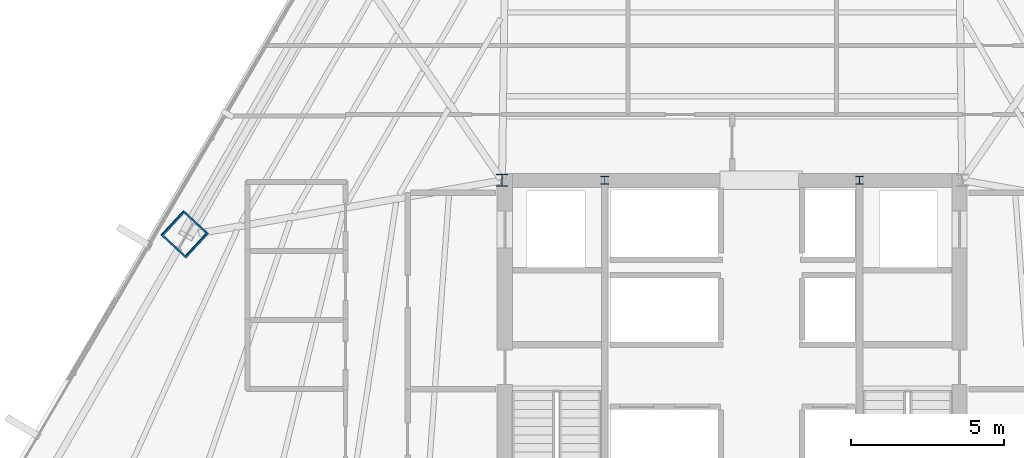
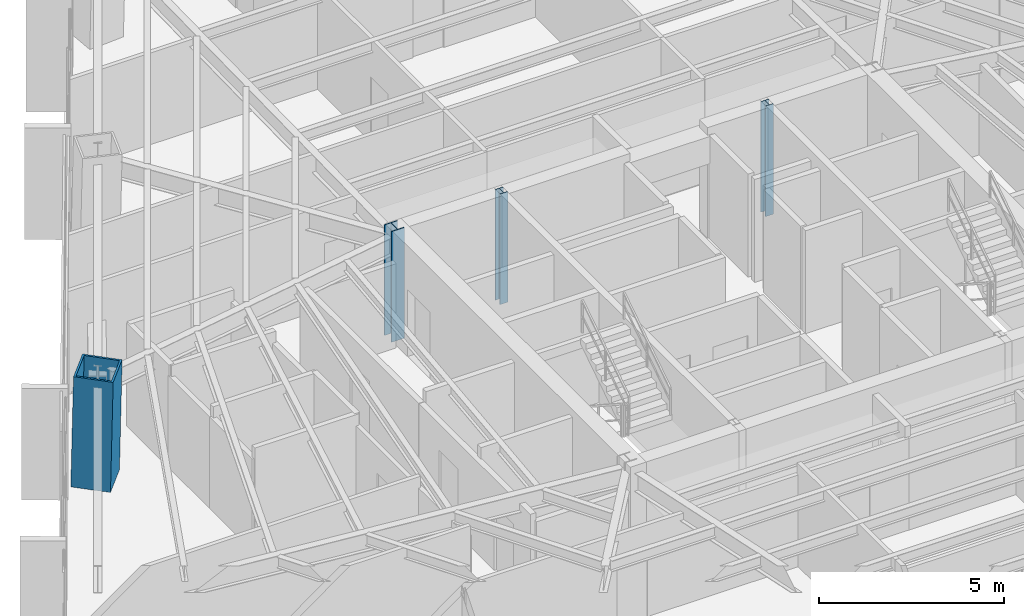
# One storey, part 2 of 35: 4 columns.
"""IFC4 building model written with IfcOpenShell, lengths in metres."""

from ifc_helpers import new_model, si_unit, direction, frame, origin, origin_2d, place, context, subcontext, project, spatial, hollow_rectangle, i_section, extrude, source, transform, mapped, material, material_profile, profile_set, type_object, type_shapes, element, save


model = new_model("IFC4")

# Units and contexts
model_context = context("Model", 3, precision=1e-05, world=origin(), true_north=direction((0.0, 1.0)))
body_context = subcontext(model_context, "Body", "Model", "MODEL_VIEW")
ifc_project = project(units=[si_unit("LENGTHUNIT", "METRE"), si_unit("AREAUNIT", "SQUARE_METRE"), si_unit("VOLUMEUNIT", "CUBIC_METRE"), si_unit("PLANEANGLEUNIT", "RADIAN"), si_unit("MASSUNIT", "GRAM", prefix="KILO")], contexts=[model_context])

# Site, building, storey
site_placement = place(None, origin())
site = spatial("IfcSite", under=ifc_project, at=site_placement, CompositionType="ELEMENT")
building_placement = place(site_placement, origin())
building = spatial("IfcBuilding", under=site, at=building_placement, Name="Caelisora Broadcast Tower", CompositionType="ELEMENT")
storey_placement = place(building_placement, frame((0.0, 0.0, 109.050048828125)))
storey = spatial("IfcBuildingStorey", under=building, at=storey_placement, Name="L28", CompositionType="ELEMENT", Elevation=109.050048828125)

# Columns
ifc_material_1 = material(Name="Steel Grade 350 (AS/NZS 3679.1)", Category="steel")
ifc_material_profile_1 = material_profile(ifc_material_1, i_section(OverallWidth=0.256103515625, OverallDepth=0.260009765625, WebThickness=0.010498046875, FlangeThickness=0.017333984375, at=origin_2d()), Name="Steel Grade 350 (AS/NZS 3679.1)")
ifc_profile_set_1 = profile_set([ifc_material_profile_1], Name="Steel Grade 350 (AS/NZS 3679.1)")
column_type_1 = type_object("IfcColumnType", Name="CC05", PredefinedType="COLUMN", material=ifc_profile_set_1)
shared_shape_1 = source(origin(), body_context, "Body", "SweptSolid", [
    extrude(i_section(OverallWidth=0.256103515625, OverallDepth=0.260009765625, WebThickness=0.010498046875, FlangeThickness=0.017333984375, at=origin_2d()), origin(), (0.0, 0.0, 1.0), 3.64990234375),
])
type_shapes(column_type_1, [shared_shape_1])
for number, where, z_axis, x_axis, name in (
    (1, (33.85009765625, 30.0, 0.0), (0.0, 0.0, 1.0), (1.0, 0.0, 0.0), "L28 column CC05"),
    (2, (42.14990234375, 30.0, 0.0), (0.0, 0.0, 1.0), (1.0, 0.0, 0.0), "L28 column CC05"),
):
    element("IfcColumn", number, at=place(storey_placement, frame(where, z_axis=z_axis, x_axis=x_axis)), inside=storey, type_object=column_type_1, Name=name, PredefinedType="COLUMN", context=body_context, shape_type="MappedRepresentation", body=[
        mapped(shared_shape_1, transform((0.0, 0.0, 0.0), scale=1.0)),
    ])
ifc_material_2 = material(Name="Steel Grade 350 (AS/NZS 3679.2)", Category="steel")
ifc_material_profile_2 = material_profile(ifc_material_2, i_section(OverallWidth=0.39990234375, OverallDepth=0.39990234375, WebThickness=0.02001953125, FlangeThickness=0.031982421875, at=origin_2d()), Name="Steel Grade 350 (AS/NZS 3679.2)")
ifc_profile_set_2 = profile_set([ifc_material_profile_2], Name="Steel Grade 350 (AS/NZS 3679.2)")
column_type_2 = type_object("IfcColumnType", Name="CC02", PredefinedType="COLUMN", material=ifc_profile_set_2)
shared_shape_2 = source(origin(), body_context, "Body", "SweptSolid", [
    extrude(i_section(OverallWidth=0.39990234375, OverallDepth=0.39990234375, WebThickness=0.02001953125, FlangeThickness=0.031982421875, at=origin_2d()), origin(), (0.0, 0.0, 1.0), 3.64990234375),
])
type_shapes(column_type_2, [shared_shape_2])
column_1_placement = place(storey_placement, frame((30.5, 30.0, 0.0), z_axis=(0.0, 0.0, 1.0), x_axis=(1.0, 0.0, 0.0)))
element("IfcColumn", 3, at=column_1_placement, inside=storey, type_object=column_type_2, Name="L28 column CC02", PredefinedType="COLUMN", context=body_context, shape_type="MappedRepresentation", body=[
    mapped(shared_shape_2, transform((0.0, 0.0, 0.0), scale=1.0)),
])
ifc_material_3 = material(Name="Steel Grade 350 L15 (AS/NZS 3678)", Category="steel")
ifc_material_profile_3 = material_profile(ifc_material_3, hollow_rectangle(XDim=1.10009765625, YDim=1.10009765625, WallThickness=0.06005859375, at=origin_2d()), Name="Steel Grade 350 L15 (AS/NZS 3678)")
ifc_profile_set_3 = profile_set([ifc_material_profile_3], Name="Steel Grade 350 L15 (AS/NZS 3678)")
column_type_3 = type_object("IfcColumnType", Name="MC03", PredefinedType="COLUMN", material=ifc_profile_set_3)
shared_shape_3 = source(origin(), body_context, "Body", "SweptSolid", [
    extrude(hollow_rectangle(XDim=1.10009765625, YDim=1.10009765625, WallThickness=0.06005859375, at=origin_2d()), origin(), (0.0, 0.0, 1.0), 3.650634765625),
])
type_shapes(column_type_3, [shared_shape_3])
column_2_placement = place(storey_placement, frame((20.14794921875, 28.252685546875, 0.0), z_axis=(0.014913313399, -0.013776424037, 0.999793880369), x_axis=(0.678553674548, 0.734550822447, 0.0)))
element("IfcColumn", 4, at=column_2_placement, inside=storey, type_object=column_type_3, Name="L28 column MC03", PredefinedType="COLUMN", context=body_context, shape_type="MappedRepresentation", body=[
    mapped(shared_shape_3, transform((0.0, 0.0, 0.0), scale=1.0)),
])

save(model, "model.ifc")
